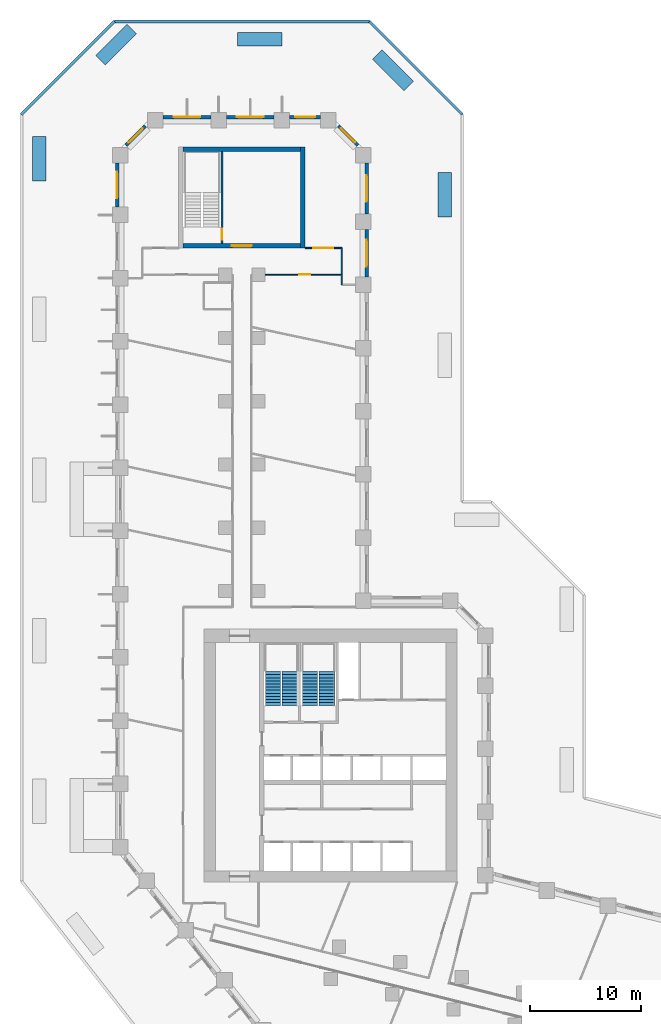
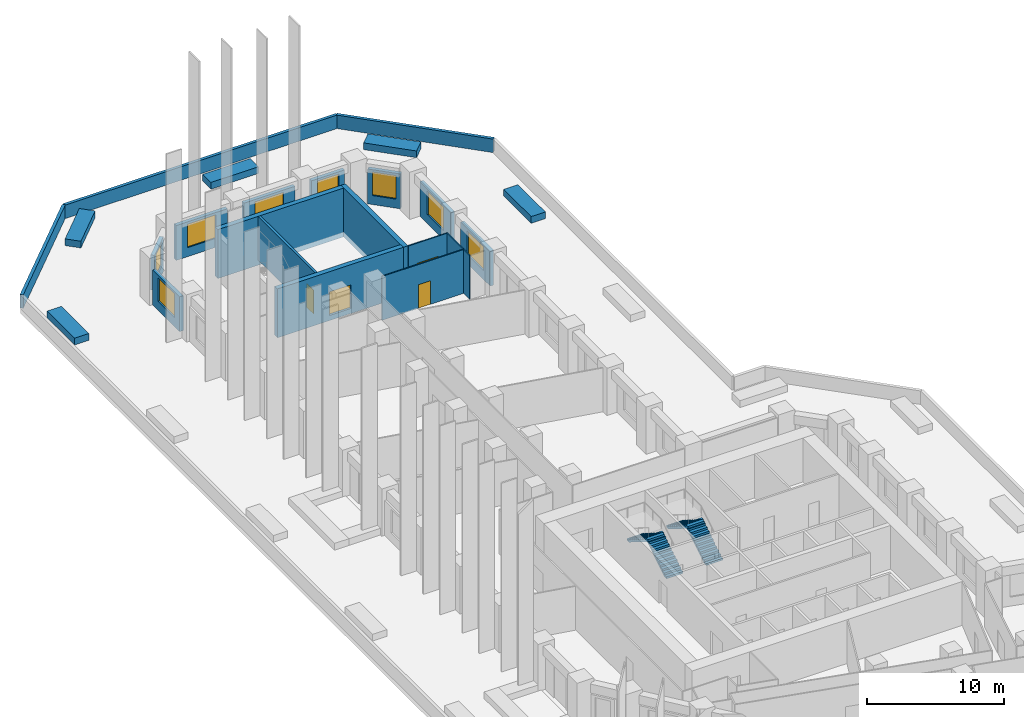
# One storey, part 11 of 13: 24 walls, 8 windows, 4 doors, 4 stair flights, 12 openings, 2 elements without a shape of their own.
"""IFC4 building model written with IfcOpenShell, lengths in metres."""

from ifc_helpers import new_model, si_unit, direction, frame, frame_2d, origin, place, context, subcontext, project, spatial, polyline, rectangle, outline, extrude, material, layer, layer_set, type_object, element, fill, aggregate, save


model = new_model("IFC4")

# Units and contexts
model_context = context("Model", 3, precision=1e-05, world=origin(), true_north=direction((0.0, 1.0)))
body_context = subcontext(model_context, "Body", "Model", "MODEL_VIEW")
ifc_project = project(units=[si_unit("LENGTHUNIT", "METRE"), si_unit("AREAUNIT", "SQUARE_METRE"), si_unit("VOLUMEUNIT", "CUBIC_METRE"), si_unit("PLANEANGLEUNIT", "RADIAN"), si_unit("MASSUNIT", "GRAM", prefix="KILO")], contexts=[model_context])

# Site, building, storey
site_placement = place(None, origin())
site = spatial("IfcSite", under=ifc_project, at=site_placement, CompositionType="ELEMENT")
building_placement = place(site_placement, origin())
building = spatial("IfcBuilding", under=site, at=building_placement, Name="Meshkara Civic Tower", CompositionType="ELEMENT")
storey_placement = place(building_placement, frame((0.0, 0.0, 33.0)))
storey = spatial("IfcBuildingStorey", under=building, at=storey_placement, Name="L06", CompositionType="ELEMENT", Elevation=33.0)

# Wall, opening, door
ifc_material_1 = material(Name="Corridor wall 100")
ifc_layer_1 = layer(ifc_material_1, 0.10009765625)
ifc_layer_set_1 = layer_set([ifc_layer_1], Name="Corridor wall 100")
wall_type_1 = type_object("IfcWallType", Name="Corridor wall 100", PredefinedType="PARTITIONING", material=ifc_layer_set_1)
wall_1_placement = place(storey_placement, frame((13.5, 68.8701171875, 0.0), z_axis=(0.0, 0.0, 1.0), x_axis=(1.0, 0.0, 0.0)))
wall_1 = element("IfcWall", 1, at=wall_1_placement, inside=storey, type_object=wall_type_1, Name="L06-W015", PredefinedType="PARTITIONING", context=body_context, shape_type="SweptSolid", body=[
    extrude(rectangle(XDim=6.89990234375, YDim=0.10009765625, at=frame_2d((3.449951171875, 0.0))), origin(), (0.0, 0.0, 1.0), 3.89990234375),
])
opening_1_placement = place(wall_1_placement, frame((3.080078125, 0.0, 0.0)))
opening_1 = element("IfcOpeningElement", 2, at=opening_1_placement, cuts=wall_1, Name="Opening L06-D026", PredefinedType="OPENING", context=body_context, shape_type="SweptSolid", body=[
    extrude(rectangle(XDim=1.0, YDim=2.10009765625, at=frame_2d((0.5, 1.050048828125))), frame((0.0, 0.06005859375, 0.0), z_axis=(0.0, -1.0, 0.0), x_axis=(1.0, 0.0, 0.0)), (0.0, 0.0, 1.0), 0.1201171875),
])
ifc_material_2 = material(Name="Door 1000 x 2100")
door_type_1 = type_object("IfcDoorType", Name="Door 1000 x 2100", OperationType="SINGLE_SWING_LEFT", PredefinedType="DOOR", material=ifc_material_2)
door_1_placement = place(opening_1_placement, origin())
door_1 = element("IfcDoor", 3, at=door_1_placement, inside=storey, type_object=door_type_1, Name="L06-D026", OperationType="SINGLE_SWING_LEFT", OverallHeight=2.10009765625, OverallWidth=1.0, PredefinedType="DOOR", context=body_context, shape_type="SweptSolid", body=[
    extrude(rectangle(XDim=1.0, YDim=2.10009765625, at=frame_2d((0.5, 1.050048828125))), frame((0.0, 0.02490234375, 0.0), z_axis=(0.0, -1.0, 0.0), x_axis=(1.0, 0.0, 0.0)), (0.0, 0.0, 1.0), 0.050048828125),
])
fill(opening_1, door_1)

# Wall
wall_2_placement = place(storey_placement, frame((20.39990234375, 68.8701171875, 0.0), z_axis=(0.0, 0.0, 1.0), x_axis=(0.0, 1.0, 0.0)))
element("IfcWall", 4, at=wall_2_placement, inside=storey, type_object=wall_type_1, Name="L06-W016", PredefinedType="PARTITIONING", context=body_context, shape_type="SweptSolid", body=[
    extrude(rectangle(XDim=2.39990234375, YDim=0.10009765625, at=frame_2d((1.199951171875, 0.0))), origin(), (0.0, 0.0, 1.0), 3.89990234375),
])

# Wall, opening, door
wall_3_placement = place(storey_placement, frame((20.39990234375, 71.27001953125, 0.0), z_axis=(0.0, 0.0, 1.0), x_axis=(-1.0, 0.0, 0.0)))
wall_3 = element("IfcWall", 5, at=wall_3_placement, inside=storey, type_object=wall_type_1, Name="L06-W017", PredefinedType="PARTITIONING", context=body_context, shape_type="SweptSolid", body=[
    extrude(rectangle(XDim=3.2998046875, YDim=0.10009765625, at=frame_2d((1.64990234375, 0.0))), origin(), (0.0, 0.0, 1.0), 3.89990234375),
])
opening_2_placement = place(wall_3_placement, frame((0.780029296875, 0.0, 0.0)))
opening_2 = element("IfcOpeningElement", 6, at=opening_2_placement, cuts=wall_3, Name="Opening L06-D027", PredefinedType="OPENING", context=body_context, shape_type="SweptSolid", body=[
    extrude(rectangle(XDim=1.800048828125, YDim=2.10009765625, at=frame_2d((0.89990234375, 1.050048828125))), frame((0.0, 0.06005859375, 0.0), z_axis=(0.0, -1.0, 0.0), x_axis=(1.0, 0.0, 0.0)), (0.0, 0.0, 1.0), 0.1201171875),
])
ifc_material_3 = material(Name="Door pair 1800 x 2100")
door_type_2 = type_object("IfcDoorType", Name="Door pair 1800 x 2100", OperationType="SINGLE_SWING_LEFT", PredefinedType="DOOR", material=ifc_material_3)
door_2_placement = place(opening_2_placement, origin())
door_2 = element("IfcDoor", 7, at=door_2_placement, inside=storey, type_object=door_type_2, Name="L06-D027", OperationType="DOUBLE_DOOR_SINGLE_SWING", OverallHeight=2.10009765625, OverallWidth=1.800048828125, PredefinedType="DOOR", context=body_context, shape_type="SweptSolid", body=[
    extrude(rectangle(XDim=1.800048828125, YDim=2.10009765625, at=frame_2d((0.89990234375, 1.050048828125))), frame((0.0, 0.02490234375, 0.0), z_axis=(0.0, -1.0, 0.0), x_axis=(1.0, 0.0, 0.0)), (0.0, 0.0, 1.0), 0.050048828125),
])
fill(opening_2, door_2)

# Wall, opening, window
ifc_material_4 = material(Name="Insulated infill panel with bronze anodised aluminium cladding", Category="aluminium")
ifc_layer_2 = layer(ifc_material_4, 0.300048828125)
ifc_layer_set_2 = layer_set([ifc_layer_2], Name="EXTERNAL INFILL WALL 300")
wall_type_2 = type_object("IfcWallType", Name="EXTERNAL INFILL WALL 300", PredefinedType="SOLIDWALL", material=ifc_layer_set_2)
wall_4_placement = place(storey_placement, frame((22.64990234375, 68.64990234375, 0.0), z_axis=(0.0, 0.0, 1.0), x_axis=(0.0, 1.0, 0.0)))
wall_4 = element("IfcWall", 8, at=wall_4_placement, inside=storey, type_object=wall_type_2, Name="External wall", PredefinedType="SOLIDWALL", context=body_context, shape_type="SweptSolid", body=[
    extrude(rectangle(XDim=4.300048828125, YDim=0.300048828125, at=frame_2d((2.14990234375, 0.0))), origin(), (0.0, 0.0, 1.0), 3.10009765625),
])
opening_3_placement = place(wall_4_placement, frame((0.949951171875, 0.0, 0.800048828125)))
opening_3 = element("IfcOpeningElement", 9, at=opening_3_placement, cuts=wall_4, Name="Opening W7", PredefinedType="OPENING", context=body_context, shape_type="SweptSolid", body=[
    extrude(rectangle(XDim=2.39990234375, YDim=2.10009765625, at=frame_2d((1.199951171875, 1.050048828125))), frame((0.0, 0.159912109375, 0.0), z_axis=(0.0, -1.0, 0.0), x_axis=(1.0, 0.0, 0.0)), (0.0, 0.0, 1.0), 0.320068359375),
])
ifc_material_5 = material(Name="Tinted double glazing", Category="glass")
window_type_1 = type_object("IfcWindowType", Name="WINDOW 2400x2100", PartitioningType="DOUBLE_PANEL_VERTICAL", PredefinedType="WINDOW", material=ifc_material_5)
window_1_placement = place(opening_3_placement, origin())
window_1 = element("IfcWindow", 10, at=window_1_placement, inside=storey, type_object=window_type_1, Name="Window", OverallHeight=2.10009765625, OverallWidth=2.39990234375, PartitioningType="DOUBLE_PANEL_VERTICAL", PredefinedType="WINDOW", context=body_context, shape_type="SweptSolid", body=[
    extrude(rectangle(XDim=2.39990234375, YDim=2.10009765625, at=frame_2d((1.199951171875, 1.050048828125))), frame((0.0, 0.030029296875, 0.0), z_axis=(0.0, -1.0, 0.0), x_axis=(1.0, 0.0, 0.0)), (0.0, 0.0, 1.0), 0.06005859375),
])
fill(opening_3, window_1)

wall_5_placement = place(storey_placement, frame((22.64990234375, 74.35009765625, 0.0), z_axis=(0.0, 0.0, 1.0), x_axis=(0.0, 1.0, 0.0)))
wall_5 = element("IfcWall", 11, at=wall_5_placement, inside=storey, type_object=wall_type_2, Name="External wall", PredefinedType="SOLIDWALL", context=body_context, shape_type="SweptSolid", body=[
    extrude(rectangle(XDim=4.56396484375, YDim=0.300048828125, at=frame_2d((2.281982421875, 0.0))), origin(), (0.0, 0.0, 1.0), 3.10009765625),
])
opening_4_placement = place(wall_5_placement, frame((1.08203125, 0.0, 0.800048828125)))
opening_4 = element("IfcOpeningElement", 12, at=opening_4_placement, cuts=wall_5, Name="Opening W7", PredefinedType="OPENING", context=body_context, shape_type="SweptSolid", body=[
    extrude(rectangle(XDim=2.39990234375, YDim=2.10009765625, at=frame_2d((1.199951171875, 1.050048828125))), frame((0.0, 0.159912109375, 0.0), z_axis=(0.0, -1.0, 0.0), x_axis=(1.0, 0.0, 0.0)), (0.0, 0.0, 1.0), 0.320068359375),
])
window_2_placement = place(opening_4_placement, origin())
window_2 = element("IfcWindow", 13, at=window_2_placement, inside=storey, type_object=window_type_1, Name="Window", OverallHeight=2.10009765625, OverallWidth=2.39990234375, PartitioningType="DOUBLE_PANEL_VERTICAL", PredefinedType="WINDOW", context=body_context, shape_type="SweptSolid", body=[
    extrude(rectangle(XDim=2.39990234375, YDim=2.10009765625, at=frame_2d((1.199951171875, 1.050048828125))), frame((0.0, 0.030029296875, 0.0), z_axis=(0.0, -1.0, 0.0), x_axis=(1.0, 0.0, 0.0)), (0.0, 0.0, 1.0), 0.06005859375),
])
fill(opening_4, window_2)

wall_6_placement = place(storey_placement, frame((21.862060546875, 80.52587890625, 0.0), z_axis=(0.0, 0.0, 1.0), x_axis=(-0.707106781187, 0.707106781187, 0.0)))
wall_6 = element("IfcWall", 14, at=wall_6_placement, inside=storey, type_object=wall_type_2, Name="External wall", PredefinedType="SOLIDWALL", context=body_context, shape_type="SweptSolid", body=[
    extrude(rectangle(XDim=2.4833984375, YDim=0.300048828125, at=frame_2d((1.24169921875, 0.0))), origin(), (0.0, 0.0, 1.0), 3.10009765625),
])
opening_5_placement = place(wall_6_placement, frame((0.342041015625, 0.0, 0.800048828125)))
opening_5 = element("IfcOpeningElement", 15, at=opening_5_placement, cuts=wall_6, Name="Opening W9", PredefinedType="OPENING", context=body_context, shape_type="SweptSolid", body=[
    extrude(rectangle(XDim=1.800048828125, YDim=2.10009765625, at=frame_2d((0.89990234375, 1.050048828125))), frame((0.0, 0.159912109375, 0.0), z_axis=(0.0, -1.0, 0.0), x_axis=(1.0, 0.0, 0.0)), (0.0, 0.0, 1.0), 0.320068359375),
])
ifc_material_6 = material(Name="Tinted double glazing", Category="glass")
window_type_2 = type_object("IfcWindowType", Name="WINDOW 1800x2100", PartitioningType="DOUBLE_PANEL_VERTICAL", PredefinedType="WINDOW", material=ifc_material_6)
window_3_placement = place(opening_5_placement, origin())
window_3 = element("IfcWindow", 16, at=window_3_placement, inside=storey, type_object=window_type_2, Name="Window", OverallHeight=2.10009765625, OverallWidth=1.800048828125, PartitioningType="DOUBLE_PANEL_VERTICAL", PredefinedType="WINDOW", context=body_context, shape_type="SweptSolid", body=[
    extrude(rectangle(XDim=1.800048828125, YDim=2.10009765625, at=frame_2d((0.89990234375, 1.050048828125))), frame((0.0, 0.030029296875, 0.0), z_axis=(0.0, -1.0, 0.0), x_axis=(1.0, 0.0, 0.0)), (0.0, 0.0, 1.0), 0.06005859375),
])
fill(opening_5, window_3)

wall_7_placement = place(storey_placement, frame((18.493896484375, 83.070068359375, 0.0), z_axis=(0.0, 0.0, 1.0), x_axis=(-1.0, 0.0, 0.0)))
wall_7 = element("IfcWall", 17, at=wall_7_placement, inside=storey, type_object=wall_type_2, Name="External wall", PredefinedType="SOLIDWALL", context=body_context, shape_type="SweptSolid", body=[
    extrude(rectangle(XDim=2.787841796875, YDim=0.300048828125, at=frame_2d((1.39404296875, 0.0))), origin(), (0.0, 0.0, 1.0), 3.10009765625),
])
opening_6_placement = place(wall_7_placement, frame((0.493896484375, 0.0, 0.800048828125)))
opening_6 = element("IfcOpeningElement", 18, at=opening_6_placement, cuts=wall_7, Name="Opening W9", PredefinedType="OPENING", context=body_context, shape_type="SweptSolid", body=[
    extrude(rectangle(XDim=1.800048828125, YDim=2.10009765625, at=frame_2d((0.89990234375, 1.050048828125))), frame((0.0, 0.159912109375, 0.0), z_axis=(0.0, -1.0, 0.0), x_axis=(1.0, 0.0, 0.0)), (0.0, 0.0, 1.0), 0.320068359375),
])
window_4_placement = place(opening_6_placement, origin())
window_4 = element("IfcWindow", 19, at=window_4_placement, inside=storey, type_object=window_type_2, Name="Window", OverallHeight=2.10009765625, OverallWidth=1.800048828125, PartitioningType="DOUBLE_PANEL_VERTICAL", PredefinedType="WINDOW", context=body_context, shape_type="SweptSolid", body=[
    extrude(rectangle(XDim=1.800048828125, YDim=2.10009765625, at=frame_2d((0.89990234375, 1.050048828125))), frame((0.0, 0.030029296875, 0.0), z_axis=(0.0, -1.0, 0.0), x_axis=(1.0, 0.0, 0.0)), (0.0, 0.0, 1.0), 0.06005859375),
])
fill(opening_6, window_4)

wall_8_placement = place(storey_placement, frame((14.305908203125, 83.070068359375, 0.0), z_axis=(0.0, 0.0, 1.0), x_axis=(-1.0, 0.0, 0.0)))
wall_8 = element("IfcWall", 20, at=wall_8_placement, inside=storey, type_object=wall_type_2, Name="External wall", PredefinedType="SOLIDWALL", context=body_context, shape_type="SweptSolid", body=[
    extrude(rectangle(XDim=4.2998046875, YDim=0.300048828125, at=frame_2d((2.14990234375, 0.0))), origin(), (0.0, 0.0, 1.0), 3.10009765625),
])
opening_7_placement = place(wall_8_placement, frame((0.949951171875, 0.0, 0.800048828125)))
opening_7 = element("IfcOpeningElement", 21, at=opening_7_placement, cuts=wall_8, Name="Opening W7", PredefinedType="OPENING", context=body_context, shape_type="SweptSolid", body=[
    extrude(rectangle(XDim=2.39990234375, YDim=2.10009765625, at=frame_2d((1.199951171875, 1.050048828125))), frame((0.0, 0.159912109375, 0.0), z_axis=(0.0, -1.0, 0.0), x_axis=(1.0, 0.0, 0.0)), (0.0, 0.0, 1.0), 0.320068359375),
])
window_5_placement = place(opening_7_placement, origin())
window_5 = element("IfcWindow", 22, at=window_5_placement, inside=storey, type_object=window_type_1, Name="Window", OverallHeight=2.10009765625, OverallWidth=2.39990234375, PartitioningType="DOUBLE_PANEL_VERTICAL", PredefinedType="WINDOW", context=body_context, shape_type="SweptSolid", body=[
    extrude(rectangle(XDim=2.39990234375, YDim=2.10009765625, at=frame_2d((1.199951171875, 1.050048828125))), frame((0.0, 0.030029296875, 0.0), z_axis=(0.0, -1.0, 0.0), x_axis=(1.0, 0.0, 0.0)), (0.0, 0.0, 1.0), 0.06005859375),
])
fill(opening_7, window_5)

wall_9_placement = place(storey_placement, frame((8.60595703125, 83.070068359375, 0.0), z_axis=(0.0, 0.0, 1.0), x_axis=(-1.0, 0.0, 0.0)))
wall_9 = element("IfcWall", 23, at=wall_9_placement, inside=storey, type_object=wall_type_2, Name="External wall", PredefinedType="SOLIDWALL", context=body_context, shape_type="SweptSolid", body=[
    extrude(rectangle(XDim=4.300048828125, YDim=0.300048828125, at=frame_2d((2.14990234375, 0.0))), origin(), (0.0, 0.0, 1.0), 3.10009765625),
])
opening_8_placement = place(wall_9_placement, frame((0.949951171875, 0.0, 0.800048828125)))
opening_8 = element("IfcOpeningElement", 24, at=opening_8_placement, cuts=wall_9, Name="Opening W7", PredefinedType="OPENING", context=body_context, shape_type="SweptSolid", body=[
    extrude(rectangle(XDim=2.39990234375, YDim=2.10009765625, at=frame_2d((1.199951171875, 1.050048828125))), frame((0.0, 0.159912109375, 0.0), z_axis=(0.0, -1.0, 0.0), x_axis=(1.0, 0.0, 0.0)), (0.0, 0.0, 1.0), 0.320068359375),
])
window_6_placement = place(opening_8_placement, origin())
window_6 = element("IfcWindow", 25, at=window_6_placement, inside=storey, type_object=window_type_1, Name="Window", OverallHeight=2.10009765625, OverallWidth=2.39990234375, PartitioningType="DOUBLE_PANEL_VERTICAL", PredefinedType="WINDOW", context=body_context, shape_type="SweptSolid", body=[
    extrude(rectangle(XDim=2.39990234375, YDim=2.10009765625, at=frame_2d((1.199951171875, 1.050048828125))), frame((0.0, 0.030029296875, 0.0), z_axis=(0.0, -1.0, 0.0), x_axis=(1.0, 0.0, 0.0)), (0.0, 0.0, 1.0), 0.06005859375),
])
fill(opening_8, window_6)

wall_10_placement = place(storey_placement, frame((2.694091796875, 82.281982421875, 0.0), z_axis=(0.0, 0.0, 1.0), x_axis=(-0.707106781187, -0.707106781187, 0.0)))
wall_10 = element("IfcWall", 26, at=wall_10_placement, inside=storey, type_object=wall_type_2, Name="External wall", PredefinedType="SOLIDWALL", context=body_context, shape_type="SweptSolid", body=[
    extrude(rectangle(XDim=2.4833984375, YDim=0.300048828125, at=frame_2d((1.24169921875, 0.0))), origin(), (0.0, 0.0, 1.0), 3.10009765625),
])
opening_9_placement = place(wall_10_placement, frame((0.342041015625, 0.0, 0.800048828125)))
opening_9 = element("IfcOpeningElement", 27, at=opening_9_placement, cuts=wall_10, Name="Opening W9", PredefinedType="OPENING", context=body_context, shape_type="SweptSolid", body=[
    extrude(rectangle(XDim=1.800048828125, YDim=2.10009765625, at=frame_2d((0.89990234375, 1.050048828125))), frame((0.0, 0.159912109375, 0.0), z_axis=(0.0, -1.0, 0.0), x_axis=(1.0, 0.0, 0.0)), (0.0, 0.0, 1.0), 0.320068359375),
])
window_7_placement = place(opening_9_placement, origin())
window_7 = element("IfcWindow", 28, at=window_7_placement, inside=storey, type_object=window_type_2, Name="Window", OverallHeight=2.10009765625, OverallWidth=1.800048828125, PartitioningType="DOUBLE_PANEL_VERTICAL", PredefinedType="WINDOW", context=body_context, shape_type="SweptSolid", body=[
    extrude(rectangle(XDim=1.800048828125, YDim=2.10009765625, at=frame_2d((0.89990234375, 1.050048828125))), frame((0.0, 0.030029296875, 0.0), z_axis=(0.0, -1.0, 0.0), x_axis=(1.0, 0.0, 0.0)), (0.0, 0.0, 1.0), 0.06005859375),
])
fill(opening_9, window_7)

wall_11_placement = place(storey_placement, frame((0.14990234375, 78.9140625, 0.0), z_axis=(0.0, 0.0, 1.0), x_axis=(0.0, -1.0, 0.0)))
wall_11 = element("IfcWall", 29, at=wall_11_placement, inside=storey, type_object=wall_type_2, Name="External wall", PredefinedType="SOLIDWALL", context=body_context, shape_type="SweptSolid", body=[
    extrude(rectangle(XDim=3.958984375, YDim=0.300048828125, at=frame_2d((1.9794921875, 0.0))), origin(), (0.0, 0.0, 1.0), 3.10009765625),
])
opening_10_placement = place(wall_11_placement, frame((0.780029296875, 0.0, 0.800048828125)))
opening_10 = element("IfcOpeningElement", 30, at=opening_10_placement, cuts=wall_11, Name="Opening W7", PredefinedType="OPENING", context=body_context, shape_type="SweptSolid", body=[
    extrude(rectangle(XDim=2.39990234375, YDim=2.10009765625, at=frame_2d((1.199951171875, 1.050048828125))), frame((0.0, 0.159912109375, 0.0), z_axis=(0.0, -1.0, 0.0), x_axis=(1.0, 0.0, 0.0)), (0.0, 0.0, 1.0), 0.320068359375),
])
window_8_placement = place(opening_10_placement, origin())
window_8 = element("IfcWindow", 31, at=window_8_placement, inside=storey, type_object=window_type_1, Name="Window", OverallHeight=2.10009765625, OverallWidth=2.39990234375, PartitioningType="DOUBLE_PANEL_VERTICAL", PredefinedType="WINDOW", context=body_context, shape_type="SweptSolid", body=[
    extrude(rectangle(XDim=2.39990234375, YDim=2.10009765625, at=frame_2d((1.199951171875, 1.050048828125))), frame((0.0, 0.030029296875, 0.0), z_axis=(0.0, -1.0, 0.0), x_axis=(1.0, 0.0, 0.0)), (0.0, 0.0, 1.0), 0.06005859375),
])
fill(opening_10, window_8)

# Wall
ifc_material_7 = material(Name="Concrete C80", Category="concrete")
ifc_layer_3 = layer(ifc_material_7, 0.39990234375)
ifc_layer_set_3 = layer_set([ifc_layer_3], Name="End core ring wall 400 C80")
wall_type_3 = type_object("IfcWallType", Name="End core ring wall 400 C80", PredefinedType="SHEAR", material=ifc_layer_set_3)
wall_12_placement = place(storey_placement, frame((16.89990234375, 71.27001953125, -0.449951171875), z_axis=(0.0, 0.0, 1.0), x_axis=(0.0, 1.0, 0.0)))
element("IfcWall", 32, at=wall_12_placement, inside=storey, type_object=wall_type_3, Name="L06-C027", PredefinedType="SHEAR", context=body_context, shape_type="SweptSolid", body=[
    extrude(rectangle(XDim=9.10009765625, YDim=0.39990234375, at=frame_2d((4.550048828125, 0.0))), origin(), (0.0, 0.0, 1.0), 4.349853515625),
])

# Wall, opening, door
wall_13_placement = place(storey_placement, frame((6.10009765625, 71.469970703125, -0.449951171875), z_axis=(0.0, 0.0, 1.0), x_axis=(1.0, 0.0, 0.0)))
wall_13 = element("IfcWall", 33, at=wall_13_placement, inside=storey, type_object=wall_type_3, Name="L06-C028", PredefinedType="SHEAR", context=body_context, shape_type="SweptSolid", body=[
    extrude(rectangle(XDim=10.599853515625, YDim=0.39990234375, at=frame_2d((5.2998046875, 0.0))), origin(), (0.0, 0.0, 1.0), 4.349853515625),
])
opening_11_placement = place(wall_13_placement, frame((4.39990234375, 0.0, 0.449951171875)))
opening_11 = element("IfcOpeningElement", 34, at=opening_11_placement, cuts=wall_13, Name="Opening L06-K102", PredefinedType="OPENING", context=body_context, shape_type="SweptSolid", body=[
    extrude(rectangle(XDim=1.800048828125, YDim=2.10009765625, at=frame_2d((0.89990234375, 1.050048828125))), frame((0.0, 0.2099609375, 0.0), z_axis=(0.0, -1.0, 0.0), x_axis=(1.0, 0.0, 0.0)), (0.0, 0.0, 1.0), 0.419921875),
])
ifc_material_8 = material(Name="Fire-rated door leaf in steel frame", Category="steel")
door_type_3 = type_object("IfcDoorType", Name="Core double door 1800 EI 60", OperationType="DOUBLE_DOOR_SINGLE_SWING", PredefinedType="DOOR", material=ifc_material_8)
door_3_placement = place(opening_11_placement, origin())
door_3 = element("IfcDoor", 35, at=door_3_placement, inside=storey, type_object=door_type_3, Name="L06-K102", OperationType="DOUBLE_DOOR_SINGLE_SWING", OverallHeight=2.10009765625, OverallWidth=1.800048828125, PredefinedType="DOOR", context=body_context, shape_type="SweptSolid", body=[
    extrude(rectangle(XDim=1.800048828125, YDim=2.10009765625, at=frame_2d((0.89990234375, 1.050048828125))), frame((0.0, 0.02490234375, 0.0), z_axis=(0.0, -1.0, 0.0), x_axis=(1.0, 0.0, 0.0)), (0.0, 0.0, 1.0), 0.050048828125),
])
fill(opening_11, door_3)

# Walls
wall_14_placement = place(storey_placement, frame((6.10009765625, 80.169921875, -0.449951171875), z_axis=(0.0, 0.0, 1.0), x_axis=(1.0, 0.0, 0.0)))
element("IfcWall", 36, at=wall_14_placement, inside=storey, type_object=wall_type_3, Name="L06-C029", PredefinedType="SHEAR", context=body_context, shape_type="SweptSolid", body=[
    extrude(rectangle(XDim=10.599853515625, YDim=0.39990234375, at=frame_2d((5.2998046875, 0.0))), origin(), (0.0, 0.0, 1.0), 4.349853515625),
])
ifc_material_9 = material(Name="Concrete C40", Category="concrete")
ifc_layer_4 = layer(ifc_material_9, 1.199951171875)
ifc_layer_set_4 = layer_set([ifc_layer_4], Name="PLANTING BED")
wall_type_4 = type_object("IfcWallType", Name="PLANTING BED", PredefinedType="SOLIDWALL", material=ifc_layer_set_4)
for number, where, z_axis, x_axis, name in (
    (37, (29.679931640625, 78.070068359375, 0.0), (0.0, 0.0, 1.0), (0.0, -1.0, 0.0), "Planting bed"),
    (38, (-6.8798828125, 77.321044921875, 0.0), (0.0, 0.0, 1.0), (0.0, 1.0, 0.0), "Planting bed"),
):
    element("IfcWall", number, at=place(storey_placement, frame(where, z_axis=z_axis, x_axis=x_axis)), inside=storey, type_object=wall_type_4, Name=name, PredefinedType="SOLIDWALL", context=body_context, shape_type="SweptSolid", body=[
        extrude(rectangle(XDim=4.0, YDim=1.199951171875, at=frame_2d((2.0, 0.0))), origin(), (0.0, 0.0, 1.0), 0.60009765625),
    ])
wall_15_placement = place(storey_placement, frame((-1.342041015625, 88.18798828125, 0.0), z_axis=(0.0, 0.0, 1.0), x_axis=(0.707106781187, 0.707106781187, 0.0)))
element("IfcWall", 39, at=wall_15_placement, inside=storey, type_object=wall_type_4, Name="Planting bed", PredefinedType="SOLIDWALL", context=body_context, shape_type="SweptSolid", body=[
    extrude(rectangle(XDim=3.99951171875, YDim=1.199951171875, at=frame_2d((1.999755859375, 0.0))), origin(), (0.0, 0.0, 1.0), 0.60009765625),
])
wall_16_placement = place(storey_placement, frame((11.02587890625, 90.10009765625, 0.0), z_axis=(0.0, 0.0, 1.0), x_axis=(1.0, 0.0, 0.0)))
element("IfcWall", 40, at=wall_16_placement, inside=storey, type_object=wall_type_4, Name="Planting bed", PredefinedType="SOLIDWALL", context=body_context, shape_type="SweptSolid", body=[
    extrude(rectangle(XDim=4.0, YDim=1.199951171875, at=frame_2d((2.0, 0.0))), origin(), (0.0, 0.0, 1.0), 0.60009765625),
])
wall_17_placement = place(storey_placement, frame((23.613037109375, 88.717041015625, 0.0), z_axis=(0.0, 0.0, 1.0), x_axis=(0.707076258372, -0.707137302683, 0.0)))
element("IfcWall", 41, at=wall_17_placement, inside=storey, type_object=wall_type_4, Name="Planting bed", PredefinedType="SOLIDWALL", context=body_context, shape_type="SweptSolid", body=[
    extrude(rectangle(XDim=3.99951171875, YDim=1.199951171875, at=frame_2d((1.999755859375, 0.0))), origin(), (0.0, 0.0, 1.0), 0.60009765625),
])
ifc_material_10 = material(Name="Partition 100")
ifc_layer_5 = layer(ifc_material_10, 0.10009765625)
ifc_layer_set_5 = layer_set([ifc_layer_5], Name="Partition 100")
wall_type_5 = type_object("IfcWallType", Name="Partition 100", PredefinedType="PARTITIONING", material=ifc_layer_set_5)
wall_18_placement = place(storey_placement, frame((20.39990234375, 67.949951171875, 0.0), z_axis=(0.0, 0.0, 1.0), x_axis=(0.0, 1.0, 0.0)))
element("IfcWall", 42, at=wall_18_placement, inside=storey, type_object=wall_type_5, Name="L06-W043", PredefinedType="PARTITIONING", context=body_context, shape_type="SweptSolid", body=[
    extrude(rectangle(XDim=0.924072265625, YDim=0.10009765625, at=frame_2d((0.4619140625, 0.0))), origin(), (0.0, 0.0, 1.0), 3.89990234375),
])
ifc_material_11 = material(Name="Concrete C40", Category="concrete")
ifc_layer_6 = layer(ifc_material_11, 0.25)
ifc_layer_set_6 = layer_set([ifc_layer_6], Name="ROOF PARAPET 250")
wall_type_6 = type_object("IfcWallType", Name="ROOF PARAPET 250", PredefinedType="PARAPET", material=ifc_layer_set_6)
wall_19_placement = place(storey_placement, frame((-8.47998046875, 83.31298828125, 0.0), z_axis=(0.0, 0.0, 1.0), x_axis=(0.707106781187, 0.707106781187, 0.0)))
element("IfcWall", 43, at=wall_19_placement, inside=storey, type_object=wall_type_6, Name="Roof parapet", PredefinedType="PARAPET", context=body_context, shape_type="SweptSolid", body=[
    extrude(rectangle(XDim=11.86083984375, YDim=0.25, at=frame_2d((5.930419921875, 0.0))), origin(), (0.0, 0.0, 1.0), 1.199951171875),
])
wall_20_placement = place(storey_placement, frame((-0.093017578125, 91.699951171875, 0.0), z_axis=(0.0, 0.0, 1.0), x_axis=(1.0, 0.0, 0.0)))
element("IfcWall", 44, at=wall_20_placement, inside=storey, type_object=wall_type_6, Name="Roof parapet", PredefinedType="PARAPET", context=body_context, shape_type="SweptSolid", body=[
    extrude(rectangle(XDim=22.986083984375, YDim=0.25, at=frame_2d((11.4931640625, 0.0))), origin(), (0.0, 0.0, 1.0), 1.199951171875),
])
wall_21_placement = place(storey_placement, frame((22.89306640625, 91.699951171875, 0.0), z_axis=(0.0, 0.0, 1.0), x_axis=(0.707106781187, -0.707106781187, 0.0)))
element("IfcWall", 45, at=wall_21_placement, inside=storey, type_object=wall_type_6, Name="Roof parapet", PredefinedType="PARAPET", context=body_context, shape_type="SweptSolid", body=[
    extrude(rectangle(XDim=11.86083984375, YDim=0.25, at=frame_2d((5.930419921875, 0.0))), origin(), (0.0, 0.0, 1.0), 1.199951171875),
])

# Wall, opening, door
ifc_material_12 = material(Name="Concrete C40/50", Category="concrete")
ifc_layer_7 = layer(ifc_material_12, 0.199951171875)
ifc_layer_set_7 = layer_set([ifc_layer_7], Name="Stair enclosure wall 200 C40/50")
wall_type_7 = type_object("IfcWallType", Name="Stair enclosure wall 200 C40/50", PredefinedType="SOLIDWALL", material=ifc_layer_set_7)
wall_22_placement = place(storey_placement, frame((9.60009765625, 71.669921875, 0.0), z_axis=(0.0, 0.0, 1.0), x_axis=(0.0, 1.0, 0.0)))
wall_22 = element("IfcWall", 46, at=wall_22_placement, inside=storey, type_object=wall_type_7, Name="L06-C030", PredefinedType="SOLIDWALL", context=body_context, shape_type="SweptSolid", body=[
    extrude(rectangle(XDim=8.300048828125, YDim=0.199951171875, at=frame_2d((4.14990234375, 0.0))), origin(), (0.0, 0.0, 1.0), 3.89990234375),
])
opening_12_placement = place(wall_22_placement, frame((0.35009765625, 0.0, 0.0)))
opening_12 = element("IfcOpeningElement", 47, at=opening_12_placement, cuts=wall_22, Name="Opening L06-K101", PredefinedType="OPENING", context=body_context, shape_type="SweptSolid", body=[
    extrude(rectangle(XDim=1.0, YDim=2.10009765625, at=frame_2d((0.5, 1.050048828125))), frame((0.0, 0.10986328125, 0.0), z_axis=(0.0, -1.0, 0.0), x_axis=(1.0, 0.0, 0.0)), (0.0, 0.0, 1.0), 0.219970703125),
])
ifc_material_13 = material(Name="Fire-rated door leaf in steel frame", Category="steel")
door_type_4 = type_object("IfcDoorType", Name="Stair door 1000 EI 120", OperationType="SINGLE_SWING_LEFT", PredefinedType="DOOR", material=ifc_material_13)
door_4_placement = place(opening_12_placement, origin())
door_4 = element("IfcDoor", 48, at=door_4_placement, inside=storey, type_object=door_type_4, Name="L06-K101", OperationType="SINGLE_SWING_RIGHT", OverallHeight=2.10009765625, OverallWidth=1.0, PredefinedType="DOOR", context=body_context, shape_type="SweptSolid", body=[
    extrude(rectangle(XDim=1.0, YDim=2.10009765625, at=frame_2d((0.5, 1.050048828125))), frame((0.0, 0.02490234375, 0.0), z_axis=(0.0, -1.0, 0.0), x_axis=(1.0, 0.0, 0.0)), (0.0, 0.0, 1.0), 0.050048828125),
])
fill(opening_12, door_4)

# Stair, stair flights
ifc_material_14 = material(Name="Precast concrete C40/50", Category="concrete")
stair_type = type_object("IfcStairType", Name="Exit stair half-turn 24 risers precast", PredefinedType="HALF_TURN_STAIR", material=ifc_material_14)
stair_1_placement = place(storey_placement, origin())
stair_1 = element("IfcStair", 49, at=stair_1_placement, inside=storey, type_object=stair_type, Name="L06 exit stair 1", PredefinedType="HALF_TURN_STAIR")
ifc_material_15 = material(Name="Precast concrete C40/50", Category="concrete")
stair_flight_type = type_object("IfcStairFlightType", Name="Exit stair flight 12 risers precast", PredefinedType="STRAIGHT", material=ifc_material_15)
stair_flight_1_placement = place(storey_placement, frame((15.72509765625, 30.0, 0.0), z_axis=(0.0, 0.0, 1.0), x_axis=(0.0, 1.0, 0.0)))
stair_flight_1 = element("IfcStairFlight", 50, at=stair_flight_1_placement, type_object=stair_flight_type, Name="ST1 flight 1", NumberOfRisers=12, NumberOfTreads=11, PredefinedType="STRAIGHT", RiserHeight=0.175, TreadLength=0.28, context=body_context, shape_type="SweptSolid", body=[
    extrude(outline(polyline([(0.0, 0.0), (0.0, 0.175048828125), (0.280029296875, 0.175048828125), (0.280029296875, 0.35009765625), (0.56005859375, 0.35009765625), (0.56005859375, 0.52490234375), (0.840087890625, 0.52490234375), (0.840087890625, 0.699951171875), (1.1201171875, 0.699951171875), (1.1201171875, 0.875), (1.39990234375, 0.875), (1.39990234375, 1.050048828125), (1.679931640625, 1.050048828125), (1.679931640625, 1.22509765625), (1.9599609375, 1.22509765625), (1.9599609375, 1.39990234375), (2.239990234375, 1.39990234375), (2.239990234375, 1.574951171875), (2.52001953125, 1.574951171875), (2.52001953125, 1.75), (2.800048828125, 1.75), (2.800048828125, 1.925048828125), (3.080078125, 1.925048828125), (3.080078125, 2.10009765625), (3.080078125, 1.748291015625), (0.28271484375, 0.0), (0.0, 0.0)])), frame((0.0, 0.699951171875, 0.0), z_axis=(0.0, -1.0, 0.0), x_axis=(1.0, 0.0, 0.0)), (0.0, 0.0, 1.0), 1.39990234375),
])
stair_flight_2_placement = place(storey_placement, frame((14.175048828125, 33.080078125, 2.10009765625), z_axis=(0.0, 0.0, 1.0), x_axis=(0.0, -1.0, 0.0)))
stair_flight_2 = element("IfcStairFlight", 51, at=stair_flight_2_placement, type_object=stair_flight_type, Name="ST1 flight 2", NumberOfRisers=12, NumberOfTreads=11, PredefinedType="STRAIGHT", RiserHeight=0.175, TreadLength=0.28, context=body_context, shape_type="SweptSolid", body=[
    extrude(outline(polyline([(0.0, 0.0), (0.0, 0.175048828125), (0.280029296875, 0.175048828125), (0.280029296875, 0.35009765625), (0.56005859375, 0.35009765625), (0.56005859375, 0.52490234375), (0.840087890625, 0.52490234375), (0.840087890625, 0.699951171875), (1.1201171875, 0.699951171875), (1.1201171875, 0.875), (1.39990234375, 0.875), (1.39990234375, 1.050048828125), (1.679931640625, 1.050048828125), (1.679931640625, 1.22509765625), (1.9599609375, 1.22509765625), (1.9599609375, 1.39990234375), (2.239990234375, 1.39990234375), (2.239990234375, 1.574951171875), (2.52001953125, 1.574951171875), (2.52001953125, 1.75), (2.800048828125, 1.75), (2.800048828125, 1.925048828125), (3.080078125, 1.925048828125), (3.080078125, 2.10009765625), (3.080078125, 1.748291015625), (0.28271484375, 0.0), (0.0, 0.0)])), frame((0.0, 0.699951171875, 0.0), z_axis=(0.0, -1.0, 0.0), x_axis=(1.0, 0.0, 0.0)), (0.0, 0.0, 1.0), 1.39990234375),
])
aggregate(stair_1, [stair_flight_1, stair_flight_2])

stair_2_placement = place(storey_placement, origin())
stair_2 = element("IfcStair", 52, at=stair_2_placement, inside=storey, type_object=stair_type, Name="L06 exit stair 2", PredefinedType="HALF_TURN_STAIR")
stair_flight_3_placement = place(storey_placement, frame((19.074951171875, 30.0, 0.0), z_axis=(0.0, 0.0, 1.0), x_axis=(0.0, 1.0, 0.0)))
stair_flight_3 = element("IfcStairFlight", 53, at=stair_flight_3_placement, type_object=stair_flight_type, Name="ST2 flight 1", NumberOfRisers=12, NumberOfTreads=11, PredefinedType="STRAIGHT", RiserHeight=0.175, TreadLength=0.28, context=body_context, shape_type="SweptSolid", body=[
    extrude(outline(polyline([(0.0, 0.0), (0.0, 0.175048828125), (0.280029296875, 0.175048828125), (0.280029296875, 0.35009765625), (0.56005859375, 0.35009765625), (0.56005859375, 0.52490234375), (0.840087890625, 0.52490234375), (0.840087890625, 0.699951171875), (1.1201171875, 0.699951171875), (1.1201171875, 0.875), (1.39990234375, 0.875), (1.39990234375, 1.050048828125), (1.679931640625, 1.050048828125), (1.679931640625, 1.22509765625), (1.9599609375, 1.22509765625), (1.9599609375, 1.39990234375), (2.239990234375, 1.39990234375), (2.239990234375, 1.574951171875), (2.52001953125, 1.574951171875), (2.52001953125, 1.75), (2.800048828125, 1.75), (2.800048828125, 1.925048828125), (3.080078125, 1.925048828125), (3.080078125, 2.10009765625), (3.080078125, 1.748291015625), (0.28271484375, 0.0), (0.0, 0.0)])), frame((0.0, 0.699951171875, 0.0), z_axis=(0.0, -1.0, 0.0), x_axis=(1.0, 0.0, 0.0)), (0.0, 0.0, 1.0), 1.39990234375),
])
stair_flight_4_placement = place(storey_placement, frame((17.52490234375, 33.080078125, 2.10009765625), z_axis=(0.0, 0.0, 1.0), x_axis=(0.0, -1.0, 0.0)))
stair_flight_4 = element("IfcStairFlight", 54, at=stair_flight_4_placement, type_object=stair_flight_type, Name="ST2 flight 2", NumberOfRisers=12, NumberOfTreads=11, PredefinedType="STRAIGHT", RiserHeight=0.175, TreadLength=0.28, context=body_context, shape_type="SweptSolid", body=[
    extrude(outline(polyline([(0.0, 0.0), (0.0, 0.175048828125), (0.280029296875, 0.175048828125), (0.280029296875, 0.35009765625), (0.56005859375, 0.35009765625), (0.56005859375, 0.52490234375), (0.840087890625, 0.52490234375), (0.840087890625, 0.699951171875), (1.1201171875, 0.699951171875), (1.1201171875, 0.875), (1.39990234375, 0.875), (1.39990234375, 1.050048828125), (1.679931640625, 1.050048828125), (1.679931640625, 1.22509765625), (1.9599609375, 1.22509765625), (1.9599609375, 1.39990234375), (2.239990234375, 1.39990234375), (2.239990234375, 1.574951171875), (2.52001953125, 1.574951171875), (2.52001953125, 1.75), (2.800048828125, 1.75), (2.800048828125, 1.925048828125), (3.080078125, 1.925048828125), (3.080078125, 2.10009765625), (3.080078125, 1.748291015625), (0.28271484375, 0.0), (0.0, 0.0)])), frame((0.0, 0.699951171875, 0.0), z_axis=(0.0, -1.0, 0.0), x_axis=(1.0, 0.0, 0.0)), (0.0, 0.0, 1.0), 1.39990234375),
])
aggregate(stair_2, [stair_flight_3, stair_flight_4])

save(model, "model.ifc")
